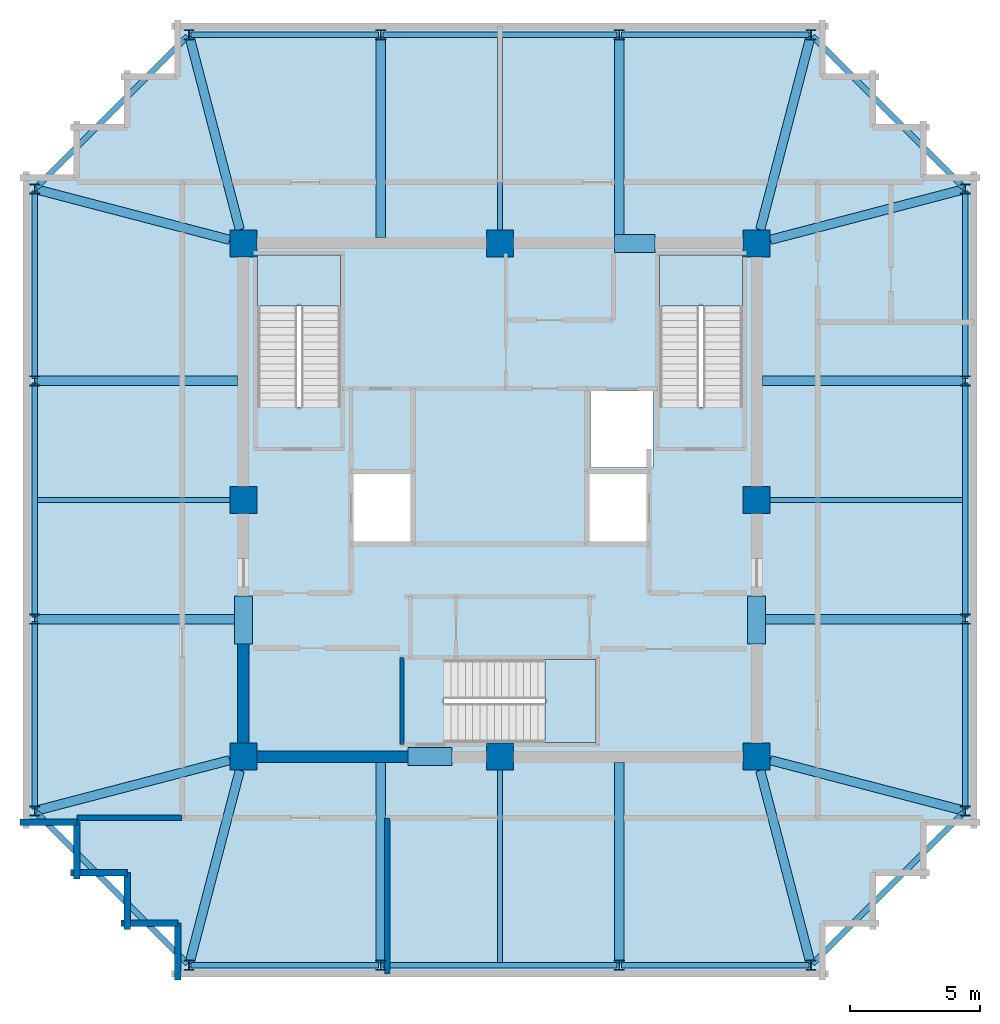
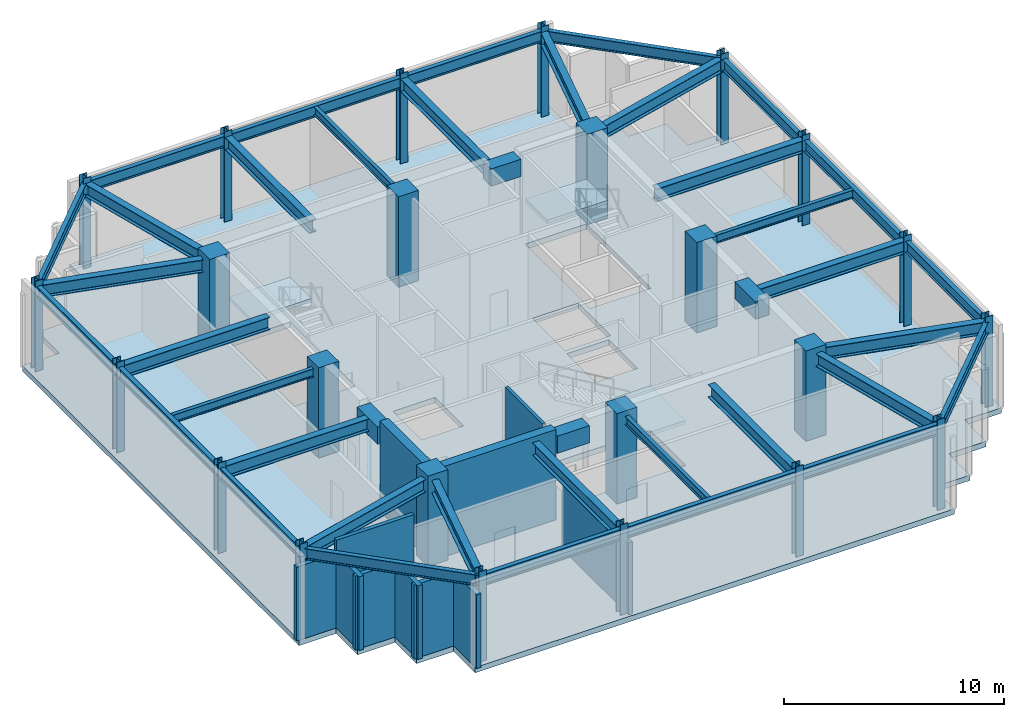
# One storey, part 1 of 5: 40 beams, 24 columns, 11 walls, 4 slabs, 3 elements without a shape of their own.
"""IFC4 building model written with IfcOpenShell, lengths in metres."""

from ifc_helpers import new_model, si_unit, direction, frame, frame_2d, origin, origin_2d, place, context, subcontext, project, spatial, polyline, rectangle, i_section, outline, extrude, material, layer, layer_set, material_profile, profile_set, type_object, element, aggregate, save


model = new_model("IFC4")

# Units and contexts
model_context = context("Model", 3, precision=1e-05, world=origin(), true_north=direction((0.0, 1.0)))
body_context = subcontext(model_context, "Body", "Model", "MODEL_VIEW")
ifc_project = project(units=[si_unit("LENGTHUNIT", "METRE"), si_unit("AREAUNIT", "SQUARE_METRE"), si_unit("VOLUMEUNIT", "CUBIC_METRE"), si_unit("PLANEANGLEUNIT", "RADIAN"), si_unit("MASSUNIT", "GRAM", prefix="KILO")], contexts=[model_context])

# Site, building, storey
site_placement = place(None, origin())
site = spatial("IfcSite", under=ifc_project, at=site_placement, CompositionType="ELEMENT")
building_placement = place(site_placement, origin())
building = spatial("IfcBuilding", under=site, at=building_placement, Name="Kolvaren Belvedere", CompositionType="ELEMENT")
storey_placement = place(building_placement, frame((0.0, 0.0, 277.39990234375)))
storey = spatial("IfcBuildingStorey", under=building, at=storey_placement, Name="L79", CompositionType="ELEMENT", Elevation=277.39990234375)

# Columns
ifc_material_1 = material(Name="Concrete C50/60", Category="concrete")
ifc_material_profile_1 = material_profile(ifc_material_1, rectangle(XDim=1.050048828125, YDim=1.050048828125, at=origin_2d()), Name="RC 1050X1050")
ifc_profile_set_1 = profile_set([ifc_material_profile_1], Name="Concrete C50/60")
column_type_1 = type_object("IfcColumnType", Name="COL-RC-1050", PredefinedType="COLUMN", material=ifc_profile_set_1)
for number, where, z_axis, x_axis, name in (
    (1, (-9.89990234375, -9.89990234375, 0.0), (0.0, 0.0, 1.0), (1.0, 0.0, 0.0), "L79 Core Column CC1"),
    (2, (9.89990234375, -9.89990234375, 0.0), (0.0, 0.0, 1.0), (1.0, 0.0, 0.0), "L79 Core Column CC2"),
    (3, (9.89990234375, 9.89990234375, 0.0), (0.0, 0.0, 1.0), (1.0, 0.0, 0.0), "L79 Core Column CC3"),
    (4, (-9.89990234375, 9.89990234375, 0.0), (0.0, 0.0, 1.0), (1.0, 0.0, 0.0), "L79 Core Column CC4"),
    (5, (0.0, -9.89990234375, 0.0), (0.0, 0.0, 1.0), (1.0, 0.0, 0.0), "L79 Core Column CM1"),
    (6, (9.89990234375, 0.0, 0.0), (0.0, 0.0, 1.0), (1.0, 0.0, 0.0), "L79 Core Column CM2"),
    (7, (0.0, 9.89990234375, 0.0), (0.0, 0.0, 1.0), (1.0, 0.0, 0.0), "L79 Core Column CM3"),
    (8, (-9.89990234375, 0.0, 0.0), (0.0, 0.0, 1.0), (1.0, 0.0, 0.0), "L79 Core Column CM4"),
):
    element("IfcColumn", number, at=place(storey_placement, frame(where, z_axis=z_axis, x_axis=x_axis)), inside=storey, type_object=column_type_1, Name=name, PredefinedType="COLUMN", context=body_context, shape_type="SweptSolid", body=[
        extrude(rectangle(XDim=1.050048828125, YDim=1.050048828125, at=origin_2d()), origin(), (0.0, 0.0, 1.0), 5.0),
    ])
ifc_material_2 = material(Name="Structural steel ASTM A992 Grade 50", Category="steel")
ifc_material_profile_2 = material_profile(ifc_material_2, i_section(OverallWidth=0.39892578125, OverallDepth=0.386962890625, WebThickness=0.02099609375, FlangeThickness=0.033203125, FilletRadius=0.02490234375, at=origin_2d()), Name="W14X176")
ifc_profile_set_2 = profile_set([ifc_material_profile_2], Name="Structural steel ASTM A992 Grade 50")
column_type_2 = type_object("IfcColumnType", Name="COL-ST-W14X176", PredefinedType="COLUMN", material=ifc_profile_set_2)
for number, where, z_axis, x_axis, name in (
    (9, (-12.0, -17.949951171875, 0.0), (0.0, 0.0, 1.0), (1.0, 0.0, 0.0), "L79 Perimeter Column S1"),
    (10, (-4.60009765625, -17.949951171875, 0.0), (0.0, 0.0, 1.0), (1.0, 0.0, 0.0), "L79 Perimeter Column S2"),
    (11, (4.60009765625, -17.949951171875, 0.0), (0.0, 0.0, 1.0), (1.0, 0.0, 0.0), "L79 Perimeter Column S3"),
    (12, (12.0, -17.949951171875, 0.0), (0.0, 0.0, 1.0), (1.0, 0.0, 0.0), "L79 Perimeter Column S4"),
    (13, (-12.0, 17.949951171875, 0.0), (0.0, 0.0, 1.0), (1.0, 0.0, 0.0), "L79 Perimeter Column N1"),
    (14, (-4.60009765625, 17.949951171875, 0.0), (0.0, 0.0, 1.0), (1.0, 0.0, 0.0), "L79 Perimeter Column N2"),
    (15, (4.60009765625, 17.949951171875, 0.0), (0.0, 0.0, 1.0), (1.0, 0.0, 0.0), "L79 Perimeter Column N3"),
    (16, (12.0, 17.949951171875, 0.0), (0.0, 0.0, 1.0), (1.0, 0.0, 0.0), "L79 Perimeter Column N4"),
    (17, (-17.949951171875, -12.0, 0.0), (0.0, 0.0, 1.0), (1.0, 0.0, 0.0), "L79 Perimeter Column W1"),
    (18, (-17.949951171875, -4.60009765625, 0.0), (0.0, 0.0, 1.0), (1.0, 0.0, 0.0), "L79 Perimeter Column W2"),
    (19, (-17.949951171875, 4.60009765625, 0.0), (0.0, 0.0, 1.0), (1.0, 0.0, 0.0), "L79 Perimeter Column W3"),
    (20, (-17.949951171875, 12.0, 0.0), (0.0, 0.0, 1.0), (1.0, 0.0, 0.0), "L79 Perimeter Column W4"),
    (21, (17.949951171875, -12.0, 0.0), (0.0, 0.0, 1.0), (1.0, 0.0, 0.0), "L79 Perimeter Column E1"),
    (22, (17.949951171875, -4.60009765625, 0.0), (0.0, 0.0, 1.0), (1.0, 0.0, 0.0), "L79 Perimeter Column E2"),
    (23, (17.949951171875, 4.60009765625, 0.0), (0.0, 0.0, 1.0), (1.0, 0.0, 0.0), "L79 Perimeter Column E3"),
    (24, (17.949951171875, 12.0, 0.0), (0.0, 0.0, 1.0), (1.0, 0.0, 0.0), "L79 Perimeter Column E4"),
):
    element("IfcColumn", number, at=place(storey_placement, frame(where, z_axis=z_axis, x_axis=x_axis)), inside=storey, type_object=column_type_2, Name=name, PredefinedType="COLUMN", context=body_context, shape_type="SweptSolid", body=[
        extrude(i_section(OverallWidth=0.39892578125, OverallDepth=0.386962890625, WebThickness=0.02099609375, FlangeThickness=0.033203125, FilletRadius=0.02490234375, at=origin_2d()), origin(), (0.0, 0.0, 1.0), 5.0),
    ])

# Beams
ifc_material_3 = material(Name="Structural steel ASTM A992 Grade 50", Category="steel")
ifc_material_profile_3 = material_profile(ifc_material_3, i_section(OverallWidth=0.35498046875, OverallDepth=0.696044921875, WebThickness=0.015380859375, FlangeThickness=0.02490234375, FilletRadius=0.02197265625, at=origin_2d()), Name="W27X146")
ifc_profile_set_3 = profile_set([ifc_material_profile_3], Name="Structural steel ASTM A992 Grade 50")
beam_type_1 = type_object("IfcBeamType", Name="BM-GIRD-W27X146", PredefinedType="BEAM", material=ifc_profile_set_3)
for number, where, z_axis, x_axis, name in (
    (25, (4.60009765625, 10.125, 4.35205078125), (0.0, 1.0, 0.0), (-1.0, 0.0, 0.0), "L79 North Radial Girder P"),
    (26, (4.60009765625, -10.125, 4.35205078125), (0.0, -1.0, 0.0), (1.0, 0.0, 0.0), "L79 South Radial Girder P"),
    (27, (10.125, 4.60009765625, 4.35205078125), (1.0, 0.0, 0.0), (0.0, 1.0, 0.0), "L79 East Radial Girder P"),
    (28, (-10.125, 4.60009765625, 4.35205078125), (-1.0, 0.0, 0.0), (0.0, -1.0, 0.0), "L79 West Radial Girder P"),
    (29, (-4.60009765625, 10.125, 4.35205078125), (0.0, 1.0, 0.0), (-1.0, 0.0, 0.0), "L79 North Radial Girder M"),
    (30, (-4.60009765625, -10.125, 4.35205078125), (0.0, -1.0, 0.0), (1.0, 0.0, 0.0), "L79 South Radial Girder M"),
    (31, (10.125, -4.60009765625, 4.35205078125), (1.0, 0.0, 0.0), (0.0, 1.0, 0.0), "L79 East Radial Girder M"),
    (32, (-10.125, -4.60009765625, 4.35205078125), (-1.0, 0.0, 0.0), (0.0, -1.0, 0.0), "L79 West Radial Girder M"),
):
    element("IfcBeam", number, at=place(storey_placement, frame(where, z_axis=z_axis, x_axis=x_axis)), inside=storey, type_object=beam_type_1, Name=name, PredefinedType="BEAM", context=body_context, shape_type="SweptSolid", body=[
        extrude(i_section(OverallWidth=0.35498046875, OverallDepth=0.696044921875, WebThickness=0.015380859375, FlangeThickness=0.02490234375, FilletRadius=0.02197265625, at=origin_2d()), origin(), (0.0, 0.0, 1.0), 7.73779296875),
    ])
for number, where, z_axis, x_axis, name in (
    (33, (-10.038818359375, -10.43212890625, 4.35205078125), (-0.25242577332, -0.967616261213, 0.0), (0.967616261213, -0.25242577332, 0.0), "L79 Corner Core-to-Perimeter Girder CC1-S1"),
    (34, (-10.43212890625, -10.038818359375, 4.35205078125), (-0.967616261213, -0.25242577332, 0.0), (0.25242577332, -0.967616261213, 0.0), "L79 Corner Core-to-Perimeter Girder CC1-W1"),
    (35, (10.038818359375, -10.43212890625, 4.35205078125), (0.25242577332, -0.967616261213, 0.0), (0.967616261213, 0.25242577332, 0.0), "L79 Corner Core-to-Perimeter Girder CC2-S4"),
    (36, (10.43212890625, -10.038818359375, 4.35205078125), (0.967616261213, -0.25242577332, 0.0), (0.25242577332, 0.967616261213, 0.0), "L79 Corner Core-to-Perimeter Girder CC2-E1"),
    (37, (10.038818359375, 10.43212890625, 4.35205078125), (0.25242577332, 0.967616261213, 0.0), (-0.967616261213, 0.25242577332, 0.0), "L79 Corner Core-to-Perimeter Girder CC3-N4"),
    (38, (10.43212890625, 10.038818359375, 4.35205078125), (0.967616261213, 0.25242577332, 0.0), (-0.25242577332, 0.967616261213, 0.0), "L79 Corner Core-to-Perimeter Girder CC3-E4"),
    (39, (-10.038818359375, 10.43212890625, 4.35205078125), (-0.25242577332, 0.967616261213, 0.0), (-0.967616261213, -0.25242577332, 0.0), "L79 Corner Core-to-Perimeter Girder CC4-N1"),
    (40, (-10.43212890625, 10.038818359375, 4.35205078125), (-0.967616261213, 0.25242577332, 0.0), (-0.25242577332, -0.967616261213, 0.0), "L79 Corner Core-to-Perimeter Girder CC4-W4"),
):
    element("IfcBeam", number, at=place(storey_placement, frame(where, z_axis=z_axis, x_axis=x_axis)), inside=storey, type_object=beam_type_1, Name=name, PredefinedType="BEAM", context=body_context, shape_type="SweptSolid", body=[
        extrude(i_section(OverallWidth=0.35498046875, OverallDepth=0.696044921875, WebThickness=0.015380859375, FlangeThickness=0.02490234375, FilletRadius=0.02197265625, at=origin_2d()), origin(), (0.0, 0.0, 1.0), 7.69189453125),
    ])
ifc_material_4 = material(Name="Structural steel ASTM A992 Grade 50", Category="steel")
ifc_material_profile_4 = material_profile(ifc_material_4, i_section(OverallWidth=0.19091796875, OverallDepth=0.4599609375, WebThickness=0.010009765625, FlangeThickness=0.01611328125, FilletRadius=0.014892578125, at=origin_2d()), Name="W18X55")
ifc_profile_set_4 = profile_set([ifc_material_profile_4], Name="Structural steel ASTM A992 Grade 50")
beam_type_2 = type_object("IfcBeamType", Name="BM-JOIST-W18X55", PredefinedType="BEAM", material=ifc_profile_set_4)
for number, where, z_axis, x_axis, name in (
    (41, (0.0, 10.125, 4.47021484375), (0.0, 1.0, 0.0), (-1.0, 0.0, 0.0), "L79 North Centre Floor Beam"),
    (42, (0.0, -10.125, 4.47021484375), (0.0, -1.0, 0.0), (1.0, 0.0, 0.0), "L79 South Centre Floor Beam"),
    (43, (10.125, 0.0, 4.47021484375), (1.0, 0.0, 0.0), (0.0, 1.0, 0.0), "L79 East Centre Floor Beam"),
    (44, (-10.125, 0.0, 4.47021484375), (-1.0, 0.0, 0.0), (0.0, -1.0, 0.0), "L79 West Centre Floor Beam"),
):
    element("IfcBeam", number, at=place(storey_placement, frame(where, z_axis=z_axis, x_axis=x_axis)), inside=storey, type_object=beam_type_2, Name=name, PredefinedType="BEAM", context=body_context, shape_type="SweptSolid", body=[
        extrude(i_section(OverallWidth=0.19091796875, OverallDepth=0.4599609375, WebThickness=0.010009765625, FlangeThickness=0.01611328125, FilletRadius=0.014892578125, at=origin_2d()), origin(), (0.0, 0.0, 1.0), 7.71044921875),
    ])
ifc_material_5 = material(Name="Concrete C60/75", Category="concrete")
ifc_material_profile_5 = material_profile(ifc_material_5, rectangle(XDim=0.699951171875, YDim=0.949951171875, at=origin_2d()), Name="RC 700X950")
ifc_profile_set_5 = profile_set([ifc_material_profile_5], Name="Concrete C60/75")
beam_type_3 = type_object("IfcBeamType", Name="BM-LINT-950", PredefinedType="LINTEL", material=ifc_profile_set_5)
beam_1_placement = place(storey_placement, frame((-3.5400390625, -9.89990234375, 4.22509765625), z_axis=(1.0, 0.0, 0.0), x_axis=(0.0, 1.0, 0.0)))
element("IfcBeam", 45, at=beam_1_placement, inside=storey, type_object=beam_type_3, Name="L79 South Core Coupling Lintel", PredefinedType="LINTEL", context=body_context, shape_type="SweptSolid", body=[
    extrude(rectangle(XDim=0.699951171875, YDim=0.949951171875, at=origin_2d()), origin(), (0.0, 0.0, 1.0), 1.679931640625),
])
beam_2_placement = place(storey_placement, frame((4.419921875, 9.89990234375, 4.22509765625), z_axis=(1.0, 0.0, 0.0), x_axis=(0.0, 1.0, 0.0)))
element("IfcBeam", 46, at=beam_2_placement, inside=storey, type_object=beam_type_3, Name="L79 North Core Coupling Lintel", PredefinedType="LINTEL", context=body_context, shape_type="SweptSolid", body=[
    extrude(rectangle(XDim=0.699951171875, YDim=0.949951171875, at=origin_2d()), origin(), (0.0, 0.0, 1.0), 1.56005859375),
])
for number, where, z_axis, x_axis, name in (
    (47, (-9.89990234375, -5.550048828125, 4.22509765625), (0.0, 1.0, 0.0), (-1.0, 0.0, 0.0), "L79 West Core Coupling Lintel"),
    (48, (9.89990234375, -5.550048828125, 4.22509765625), (0.0, 1.0, 0.0), (-1.0, 0.0, 0.0), "L79 East Core Coupling Lintel"),
):
    element("IfcBeam", number, at=place(storey_placement, frame(where, z_axis=z_axis, x_axis=x_axis)), inside=storey, type_object=beam_type_3, Name=name, PredefinedType="LINTEL", context=body_context, shape_type="SweptSolid", body=[
        extrude(rectangle(XDim=0.699951171875, YDim=0.949951171875, at=origin_2d()), origin(), (0.0, 0.0, 1.0), 1.85009765625),
    ])
ifc_material_6 = material(Name="Structural steel ASTM A992 Grade 50", Category="steel")
ifc_material_profile_6 = material_profile(ifc_material_6, i_section(OverallWidth=0.22900390625, OverallDepth=0.612060546875, WebThickness=0.011962890625, FlangeThickness=0.01953125, FilletRadius=0.01806640625, at=origin_2d()), Name="W24X84")
ifc_profile_set_6 = profile_set([ifc_material_profile_6], Name="Structural steel ASTM A992 Grade 50")
beam_type_4 = type_object("IfcBeamType", Name="BM-SPAN-W24X84", PredefinedType="SPANDREL", material=ifc_profile_set_6)
beam_3_placement = place(storey_placement, frame((-11.912841796875, -17.949951171875, 4.39404296875), z_axis=(1.0, 0.0, 0.0), x_axis=(0.0, 1.0, 0.0)))
element("IfcBeam", 49, at=beam_3_placement, inside=storey, type_object=beam_type_4, Name="L79 Perimeter Spandrel S1-S2", PredefinedType="SPANDREL", context=body_context, shape_type="SweptSolid", body=[
    extrude(i_section(OverallWidth=0.22900390625, OverallDepth=0.612060546875, WebThickness=0.011962890625, FlangeThickness=0.01953125, FilletRadius=0.01806640625, at=origin_2d()), origin(), (0.0, 0.0, 1.0), 7.225830078125),
])
beam_4_placement = place(storey_placement, frame((-4.512939453125, -17.949951171875, 4.39404296875), z_axis=(1.0, 0.0, 0.0), x_axis=(0.0, 1.0, 0.0)))
element("IfcBeam", 50, at=beam_4_placement, inside=storey, type_object=beam_type_4, Name="L79 Perimeter Spandrel S2-S3", PredefinedType="SPANDREL", context=body_context, shape_type="SweptSolid", body=[
    extrude(i_section(OverallWidth=0.22900390625, OverallDepth=0.612060546875, WebThickness=0.011962890625, FlangeThickness=0.01953125, FilletRadius=0.01806640625, at=origin_2d()), origin(), (0.0, 0.0, 1.0), 9.02587890625),
])
beam_5_placement = place(storey_placement, frame((4.68701171875, -17.949951171875, 4.39404296875), z_axis=(1.0, 0.0, 0.0), x_axis=(0.0, 1.0, 0.0)))
element("IfcBeam", 51, at=beam_5_placement, inside=storey, type_object=beam_type_4, Name="L79 Perimeter Spandrel S3-S4", PredefinedType="SPANDREL", context=body_context, shape_type="SweptSolid", body=[
    extrude(i_section(OverallWidth=0.22900390625, OverallDepth=0.612060546875, WebThickness=0.011962890625, FlangeThickness=0.01953125, FilletRadius=0.01806640625, at=origin_2d()), origin(), (0.0, 0.0, 1.0), 7.225830078125),
])
beam_6_placement = place(storey_placement, frame((12.0615234375, -17.888427734375, 4.39404296875), z_axis=(0.707106781187, 0.707106781187, 0.0), x_axis=(-0.707106781187, 0.707106781187, 0.0)))
element("IfcBeam", 52, at=beam_6_placement, inside=storey, type_object=beam_type_4, Name="L79 Perimeter Spandrel S4-E1", PredefinedType="SPANDREL", context=body_context, shape_type="SweptSolid", body=[
    extrude(i_section(OverallWidth=0.22900390625, OverallDepth=0.612060546875, WebThickness=0.011962890625, FlangeThickness=0.01953125, FilletRadius=0.01806640625, at=origin_2d()), origin(), (0.0, 0.0, 1.0), 8.240478515625),
])
beam_7_placement = place(storey_placement, frame((17.949951171875, -11.912841796875, 4.39404296875), z_axis=(0.0, 1.0, 0.0), x_axis=(-1.0, 0.0, 0.0)))
element("IfcBeam", 53, at=beam_7_placement, inside=storey, type_object=beam_type_4, Name="L79 Perimeter Spandrel E1-E2", PredefinedType="SPANDREL", context=body_context, shape_type="SweptSolid", body=[
    extrude(i_section(OverallWidth=0.22900390625, OverallDepth=0.612060546875, WebThickness=0.011962890625, FlangeThickness=0.01953125, FilletRadius=0.01806640625, at=origin_2d()), origin(), (0.0, 0.0, 1.0), 7.225830078125),
])
beam_8_placement = place(storey_placement, frame((17.949951171875, -4.512939453125, 4.39404296875), z_axis=(0.0, 1.0, 0.0), x_axis=(-1.0, 0.0, 0.0)))
element("IfcBeam", 54, at=beam_8_placement, inside=storey, type_object=beam_type_4, Name="L79 Perimeter Spandrel E2-E3", PredefinedType="SPANDREL", context=body_context, shape_type="SweptSolid", body=[
    extrude(i_section(OverallWidth=0.22900390625, OverallDepth=0.612060546875, WebThickness=0.011962890625, FlangeThickness=0.01953125, FilletRadius=0.01806640625, at=origin_2d()), origin(), (0.0, 0.0, 1.0), 9.02587890625),
])
beam_9_placement = place(storey_placement, frame((17.949951171875, 4.68701171875, 4.39404296875), z_axis=(0.0, 1.0, 0.0), x_axis=(-1.0, 0.0, 0.0)))
element("IfcBeam", 55, at=beam_9_placement, inside=storey, type_object=beam_type_4, Name="L79 Perimeter Spandrel E3-E4", PredefinedType="SPANDREL", context=body_context, shape_type="SweptSolid", body=[
    extrude(i_section(OverallWidth=0.22900390625, OverallDepth=0.612060546875, WebThickness=0.011962890625, FlangeThickness=0.01953125, FilletRadius=0.01806640625, at=origin_2d()), origin(), (0.0, 0.0, 1.0), 7.225830078125),
])
beam_10_placement = place(storey_placement, frame((17.888427734375, 12.0615234375, 4.39404296875), z_axis=(-0.707106781187, 0.707106781187, 0.0), x_axis=(-0.707106781187, -0.707106781187, 0.0)))
element("IfcBeam", 56, at=beam_10_placement, inside=storey, type_object=beam_type_4, Name="L79 Perimeter Spandrel E4-N4", PredefinedType="SPANDREL", context=body_context, shape_type="SweptSolid", body=[
    extrude(i_section(OverallWidth=0.22900390625, OverallDepth=0.612060546875, WebThickness=0.011962890625, FlangeThickness=0.01953125, FilletRadius=0.01806640625, at=origin_2d()), origin(), (0.0, 0.0, 1.0), 8.240478515625),
])
beam_11_placement = place(storey_placement, frame((11.912841796875, 17.949951171875, 4.39404296875), z_axis=(-1.0, 0.0, 0.0), x_axis=(0.0, -1.0, 0.0)))
element("IfcBeam", 57, at=beam_11_placement, inside=storey, type_object=beam_type_4, Name="L79 Perimeter Spandrel N4-N3", PredefinedType="SPANDREL", context=body_context, shape_type="SweptSolid", body=[
    extrude(i_section(OverallWidth=0.22900390625, OverallDepth=0.612060546875, WebThickness=0.011962890625, FlangeThickness=0.01953125, FilletRadius=0.01806640625, at=origin_2d()), origin(), (0.0, 0.0, 1.0), 7.225830078125),
])
beam_12_placement = place(storey_placement, frame((4.512939453125, 17.949951171875, 4.39404296875), z_axis=(-1.0, 0.0, 0.0), x_axis=(0.0, -1.0, 0.0)))
element("IfcBeam", 58, at=beam_12_placement, inside=storey, type_object=beam_type_4, Name="L79 Perimeter Spandrel N3-N2", PredefinedType="SPANDREL", context=body_context, shape_type="SweptSolid", body=[
    extrude(i_section(OverallWidth=0.22900390625, OverallDepth=0.612060546875, WebThickness=0.011962890625, FlangeThickness=0.01953125, FilletRadius=0.01806640625, at=origin_2d()), origin(), (0.0, 0.0, 1.0), 9.02587890625),
])
beam_13_placement = place(storey_placement, frame((-4.68701171875, 17.949951171875, 4.39404296875), z_axis=(-1.0, 0.0, 0.0), x_axis=(0.0, -1.0, 0.0)))
element("IfcBeam", 59, at=beam_13_placement, inside=storey, type_object=beam_type_4, Name="L79 Perimeter Spandrel N2-N1", PredefinedType="SPANDREL", context=body_context, shape_type="SweptSolid", body=[
    extrude(i_section(OverallWidth=0.22900390625, OverallDepth=0.612060546875, WebThickness=0.011962890625, FlangeThickness=0.01953125, FilletRadius=0.01806640625, at=origin_2d()), origin(), (0.0, 0.0, 1.0), 7.225830078125),
])
beam_14_placement = place(storey_placement, frame((-12.0615234375, 17.888427734375, 4.39404296875), z_axis=(-0.707106781187, -0.707106781187, 0.0), x_axis=(0.707106781187, -0.707106781187, 0.0)))
element("IfcBeam", 60, at=beam_14_placement, inside=storey, type_object=beam_type_4, Name="L79 Perimeter Spandrel N1-W4", PredefinedType="SPANDREL", context=body_context, shape_type="SweptSolid", body=[
    extrude(i_section(OverallWidth=0.22900390625, OverallDepth=0.612060546875, WebThickness=0.011962890625, FlangeThickness=0.01953125, FilletRadius=0.01806640625, at=origin_2d()), origin(), (0.0, 0.0, 1.0), 8.240478515625),
])
beam_15_placement = place(storey_placement, frame((-17.949951171875, 11.912841796875, 4.39404296875), z_axis=(0.0, -1.0, 0.0), x_axis=(1.0, 0.0, 0.0)))
element("IfcBeam", 61, at=beam_15_placement, inside=storey, type_object=beam_type_4, Name="L79 Perimeter Spandrel W4-W3", PredefinedType="SPANDREL", context=body_context, shape_type="SweptSolid", body=[
    extrude(i_section(OverallWidth=0.22900390625, OverallDepth=0.612060546875, WebThickness=0.011962890625, FlangeThickness=0.01953125, FilletRadius=0.01806640625, at=origin_2d()), origin(), (0.0, 0.0, 1.0), 7.225830078125),
])
beam_16_placement = place(storey_placement, frame((-17.949951171875, 4.512939453125, 4.39404296875), z_axis=(0.0, -1.0, 0.0), x_axis=(1.0, 0.0, 0.0)))
element("IfcBeam", 62, at=beam_16_placement, inside=storey, type_object=beam_type_4, Name="L79 Perimeter Spandrel W3-W2", PredefinedType="SPANDREL", context=body_context, shape_type="SweptSolid", body=[
    extrude(i_section(OverallWidth=0.22900390625, OverallDepth=0.612060546875, WebThickness=0.011962890625, FlangeThickness=0.01953125, FilletRadius=0.01806640625, at=origin_2d()), origin(), (0.0, 0.0, 1.0), 9.02587890625),
])
beam_17_placement = place(storey_placement, frame((-17.949951171875, -4.68701171875, 4.39404296875), z_axis=(0.0, -1.0, 0.0), x_axis=(1.0, 0.0, 0.0)))
element("IfcBeam", 63, at=beam_17_placement, inside=storey, type_object=beam_type_4, Name="L79 Perimeter Spandrel W2-W1", PredefinedType="SPANDREL", context=body_context, shape_type="SweptSolid", body=[
    extrude(i_section(OverallWidth=0.22900390625, OverallDepth=0.612060546875, WebThickness=0.011962890625, FlangeThickness=0.01953125, FilletRadius=0.01806640625, at=origin_2d()), origin(), (0.0, 0.0, 1.0), 7.225830078125),
])
beam_18_placement = place(storey_placement, frame((-17.888427734375, -12.0615234375, 4.39404296875), z_axis=(0.707106781187, -0.707106781187, 0.0), x_axis=(0.707106781187, 0.707106781187, 0.0)))
element("IfcBeam", 64, at=beam_18_placement, inside=storey, type_object=beam_type_4, Name="L79 Perimeter Spandrel W1-S1", PredefinedType="SPANDREL", context=body_context, shape_type="SweptSolid", body=[
    extrude(i_section(OverallWidth=0.22900390625, OverallDepth=0.612060546875, WebThickness=0.011962890625, FlangeThickness=0.01953125, FilletRadius=0.01806640625, at=origin_2d()), origin(), (0.0, 0.0, 1.0), 8.240478515625),
])

# Slab
ifc_material_7 = material(Name="Concrete C50/60", Category="concrete")
ifc_layer_1 = layer(ifc_material_7, 0.300048828125)
ifc_layer_set_1 = layer_set([ifc_layer_1], Name="Concrete C50/60")
slab_type_1 = type_object("IfcSlabType", Name="SL-FLR-300", PredefinedType="FLOOR", material=ifc_layer_set_1)
slab_1_placement = place(storey_placement, frame((0.0, 0.0, -0.2998046875)))
element("IfcSlab", 65, at=slab_1_placement, inside=storey, type_object=slab_type_1, Name="L79 Primary Structural Slab", PredefinedType="FLOOR", context=body_context, shape_type="SweptSolid", body=[
    extrude(outline(polyline([(-12.550048828125, -18.39990234375), (12.550048828125, -18.39990234375), (12.550048828125, -16.449951171875), (14.5, -16.449951171875), (14.5, -14.5), (16.449951171875, -14.5), (16.449951171875, -12.550048828125), (18.39990234375, -12.550048828125), (18.39990234375, 12.550048828125), (16.449951171875, 12.550048828125), (16.449951171875, 14.5), (14.5, 14.5), (14.5, 16.449951171875), (12.550048828125, 16.449951171875), (12.550048828125, 18.39990234375), (-12.550048828125, 18.39990234375), (-12.550048828125, 16.449951171875), (-14.5, 16.449951171875), (-14.5, 14.5), (-16.449951171875, 14.5), (-16.449951171875, 12.550048828125), (-18.39990234375, 12.550048828125), (-18.39990234375, -12.550048828125), (-16.449951171875, -12.550048828125), (-16.449951171875, -14.5), (-14.5, -14.5), (-14.5, -16.449951171875), (-12.550048828125, -16.449951171875), (-12.550048828125, -18.39990234375)]), holes=[polyline([(-9.35009765625, 3.580078125), (-6.159912109375, 3.580078125), (-6.159912109375, 9.449951171875), (-9.35009765625, 9.449951171875), (-9.35009765625, 3.580078125)]), polyline([(6.159912109375, 3.580078125), (9.35009765625, 3.580078125), (9.35009765625, 9.449951171875), (6.159912109375, 9.449951171875), (6.159912109375, 3.580078125)]), polyline([(-2.169921875, -9.35009765625), (3.699951171875, -9.35009765625), (3.699951171875, -6.159912109375), (-2.169921875, -6.159912109375), (-2.169921875, -9.35009765625)]), polyline([(-5.64990234375, -1.60009765625), (-3.449951171875, -1.60009765625), (-3.449951171875, 1.0), (-5.64990234375, 1.0), (-5.64990234375, -1.60009765625)]), polyline([(3.5, 1.25), (5.89990234375, 1.25), (5.89990234375, 4.199951171875), (3.5, 4.199951171875), (3.5, 1.25)]), polyline([(3.449951171875, -1.60009765625), (5.64990234375, -1.60009765625), (5.64990234375, 1.0), (3.449951171875, 1.0), (3.449951171875, -1.60009765625)])]), origin(), (0.0, 0.0, 1.0), 0.2998046875),
])

# Stair, slab
ifc_material_8 = material(Name="Concrete C50/60", Category="concrete")
stair_type = type_object("IfcStairType", Name="ST-CORE-1520", PredefinedType="HALF_TURN_STAIR", material=ifc_material_8)
stair_1_placement = place(storey_placement, origin())
stair_1 = element("IfcStair", 66, at=stair_1_placement, inside=storey, type_object=stair_type, Name="L79 Protected Exit Stair ST-1", PredefinedType="HALF_TURN_STAIR")
ifc_material_9 = material(Name="Concrete C50/60", Category="concrete")
ifc_layer_2 = layer(ifc_material_9, 0.260009765625)
ifc_layer_set_2 = layer_set([ifc_layer_2], Name="Concrete C50/60")
slab_type_2 = type_object("IfcSlabType", Name="SL-LAND-260", PredefinedType="LANDING", material=ifc_layer_set_2)
slab_2_placement = place(storey_placement, frame((0.0, 0.0, 2.300048828125)))
slab_2 = element("IfcSlab", 67, at=slab_2_placement, type_object=slab_type_2, Name="ST-1 landing 1", PredefinedType="LANDING", context=body_context, shape_type="SweptSolid", body=[
    extrude(outline(polyline([(-6.159912109375, 7.489990234375), (-6.159912109375, 9.449951171875), (-9.35009765625, 9.449951171875), (-9.35009765625, 7.489990234375), (-6.159912109375, 7.489990234375)])), origin(), (0.0, 0.0, 1.0), 0.199951171875),
])
aggregate(stair_1, [slab_2])

stair_2_placement = place(storey_placement, origin())
stair_2 = element("IfcStair", 68, at=stair_2_placement, inside=storey, type_object=stair_type, Name="L79 Protected Exit Stair ST-2", PredefinedType="HALF_TURN_STAIR")
slab_3_placement = place(storey_placement, frame((0.0, 0.0, 2.300048828125)))
slab_3 = element("IfcSlab", 69, at=slab_3_placement, type_object=slab_type_2, Name="ST-2 landing 1", PredefinedType="LANDING", context=body_context, shape_type="SweptSolid", body=[
    extrude(outline(polyline([(9.35009765625, 7.489990234375), (9.35009765625, 9.449951171875), (6.159912109375, 9.449951171875), (6.159912109375, 7.489990234375), (9.35009765625, 7.489990234375)])), origin(), (0.0, 0.0, 1.0), 0.199951171875),
])
aggregate(stair_2, [slab_3])

stair_3_placement = place(storey_placement, origin())
stair_3 = element("IfcStair", 70, at=stair_3_placement, inside=storey, type_object=stair_type, Name="L79 Protected Exit Stair ST-3", PredefinedType="HALF_TURN_STAIR")
slab_4_placement = place(storey_placement, frame((0.0, 0.0, 2.300048828125)))
slab_4 = element("IfcSlab", 71, at=slab_4_placement, type_object=slab_type_2, Name="ST-3 landing 1", PredefinedType="LANDING", context=body_context, shape_type="SweptSolid", body=[
    extrude(outline(polyline([(1.739990234375, -9.35009765625), (3.699951171875, -9.35009765625), (3.699951171875, -6.159912109375), (1.739990234375, -6.159912109375), (1.739990234375, -9.35009765625)])), origin(), (0.0, 0.0, 1.0), 0.199951171875),
])
aggregate(stair_3, [slab_4])

# Walls
ifc_material_10 = material(Name="Concrete C50/60", Category="concrete")
ifc_layer_3 = layer(ifc_material_10, 0.449951171875)
ifc_layer_set_3 = layer_set([ifc_layer_3], Name="Concrete C50/60")
wall_type_1 = type_object("IfcWallType", Name="CW-CORE-450", PredefinedType="SHEAR", material=ifc_layer_set_3)
wall_1_placement = place(storey_placement, frame((-3.5400390625, -9.89990234375, 0.0), z_axis=(0.0, 0.0, 1.0), x_axis=(-1.0, 0.0, 0.0)))
element("IfcWall", 72, at=wall_1_placement, inside=storey, type_object=wall_type_1, Name="L79 South Core Shear Wall 2", PredefinedType="SHEAR", context=body_context, shape_type="SweptSolid", body=[
    extrude(rectangle(XDim=6.5849609375, YDim=0.449951171875, at=frame_2d((3.29248046875, 0.0))), origin(), (0.0, 0.0, 1.0), 5.0),
])
wall_2_placement = place(storey_placement, frame((-9.89990234375, -9.675048828125, 0.0), z_axis=(0.0, 0.0, 1.0), x_axis=(0.0, 1.0, 0.0)))
element("IfcWall", 73, at=wall_2_placement, inside=storey, type_object=wall_type_1, Name="L79 West Core Shear Wall 1", PredefinedType="SHEAR", context=body_context, shape_type="SweptSolid", body=[
    extrude(rectangle(XDim=4.125, YDim=0.449951171875, at=frame_2d((2.0625, 0.0))), origin(), (0.0, 0.0, 1.0), 5.0),
])
ifc_material_11 = material(Name="Concrete C50/60", Category="concrete")
ifc_layer_4 = layer(ifc_material_11, 0.159912109375)
ifc_layer_set_4 = layer_set([ifc_layer_4], Name="Concrete C50/60")
wall_type_2 = type_object("IfcWallType", Name="CW-STAIR-160", PredefinedType="SHEAR", material=ifc_layer_set_4)
wall_3_placement = place(storey_placement, frame((-3.780029296875, -9.429931640625, 0.0), z_axis=(0.0, 0.0, 1.0), x_axis=(0.0, 1.0, 0.0)))
element("IfcWall", 74, at=wall_3_placement, inside=storey, type_object=wall_type_2, Name="L79 Stair ST-3 West Shear Wall", PredefinedType="SHEAR", context=body_context, shape_type="SweptSolid", body=[
    extrude(rectangle(XDim=3.349853515625, YDim=0.159912109375, at=frame_2d((1.6748046875, 0.0))), origin(), (0.0, 0.0, 1.0), 5.0),
])
ifc_material_12 = material(Name="Insulated acoustic pale-metal louvre wall", Category="aluminium")
ifc_layer_5 = layer(ifc_material_12, 0.239990234375)
ifc_layer_set_5 = layer_set([ifc_layer_5], Name="Insulated acoustic pale-metal louvre wall")
wall_type_3 = type_object("IfcWallType", Name="WL-LOUV-240", PredefinedType="STANDARD", material=ifc_layer_set_5)
wall_4_placement = place(storey_placement, frame((-16.330078125, -12.429931640625, 0.0), z_axis=(0.0, 0.0, 1.0), x_axis=(-1.0, 0.0, 0.0)))
element("IfcWall", 75, at=wall_4_placement, inside=storey, type_object=wall_type_3, Name="L79 Acoustic Louvre Facade Wall 23", PredefinedType="STANDARD", context=body_context, shape_type="SweptSolid", body=[
    extrude(rectangle(XDim=2.18994140625, YDim=0.239990234375, at=frame_2d((1.094970703125, 0.0))), origin(), (0.0, 0.0, 1.0), 4.0830078125),
])
for number, where, z_axis, x_axis, name in (
    (76, (-16.330078125, -14.6201171875, 0.0), (0.0, 0.0, 1.0), (0.0, 1.0, 0.0), "L79 Acoustic Louvre Facade Wall 24"),
    (77, (-14.3798828125, -14.3798828125, 0.0), (0.0, 0.0, 1.0), (-1.0, 0.0, 0.0), "L79 Acoustic Louvre Facade Wall 25"),
    (78, (-14.3798828125, -16.570068359375, 0.0), (0.0, 0.0, 1.0), (0.0, 1.0, 0.0), "L79 Acoustic Louvre Facade Wall 26"),
    (79, (-12.429931640625, -16.330078125, 0.0), (0.0, 0.0, 1.0), (-1.0, 0.0, 0.0), "L79 Acoustic Louvre Facade Wall 27"),
):
    element("IfcWall", number, at=place(storey_placement, frame(where, z_axis=z_axis, x_axis=x_axis)), inside=storey, type_object=wall_type_3, Name=name, PredefinedType="STANDARD", context=body_context, shape_type="SweptSolid", body=[
        extrude(rectangle(XDim=2.190185546875, YDim=0.239990234375, at=frame_2d((1.09521484375, 0.0))), origin(), (0.0, 0.0, 1.0), 4.0830078125),
    ])
wall_5_placement = place(storey_placement, frame((-12.429931640625, -18.52001953125, 0.0), z_axis=(0.0, 0.0, 1.0), x_axis=(0.0, 1.0, 0.0)))
element("IfcWall", 80, at=wall_5_placement, inside=storey, type_object=wall_type_3, Name="L79 Acoustic Louvre Facade Wall 28", PredefinedType="STANDARD", context=body_context, shape_type="SweptSolid", body=[
    extrude(rectangle(XDim=2.18994140625, YDim=0.239990234375, at=frame_2d((1.094970703125, 0.0))), origin(), (0.0, 0.0, 1.0), 4.0830078125),
])
ifc_material_13 = material(Name="Concrete C50/60", Category="concrete")
ifc_layer_6 = layer(ifc_material_13, 0.199951171875)
ifc_layer_set_6 = layer_set([ifc_layer_6], Name="Concrete C50/60")
wall_type_4 = type_object("IfcWallType", Name="WL-SHAFT-200", PredefinedType="SOLIDWALL", material=ifc_layer_set_6)
wall_6_placement = place(storey_placement, frame((-16.320068359375, -12.260009765625, 0.0), z_axis=(0.0, 0.0, 1.0), x_axis=(1.0, 0.0, 0.0)))
element("IfcWall", 81, at=wall_6_placement, inside=storey, type_object=wall_type_4, Name="L79 Sector Wall PW-L79-QSW", PredefinedType="SOLIDWALL", context=body_context, shape_type="SweptSolid", body=[
    extrude(rectangle(XDim=4.06005859375, YDim=0.199951171875, at=frame_2d((2.030029296875, 0.0))), origin(), (0.0, 0.0, 1.0), 4.7001953125),
])
wall_7_placement = place(storey_placement, frame((-4.35009765625, -18.280029296875, 0.0), z_axis=(0.0, 0.0, 1.0), x_axis=(0.0, 1.0, 0.0)))
element("IfcWall", 82, at=wall_7_placement, inside=storey, type_object=wall_type_4, Name="L79 South Plant Divider", PredefinedType="SOLIDWALL", context=body_context, shape_type="SweptSolid", body=[
    extrude(rectangle(XDim=6.02001953125, YDim=0.199951171875, at=frame_2d((3.010009765625, 0.0))), origin(), (0.0, 0.0, 1.0), 3.989013671875),
])

save(model, "model.ifc")
